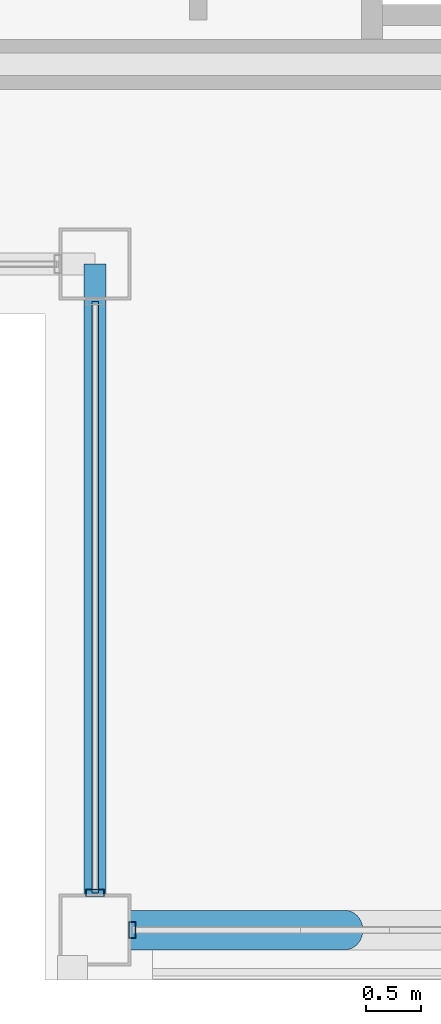
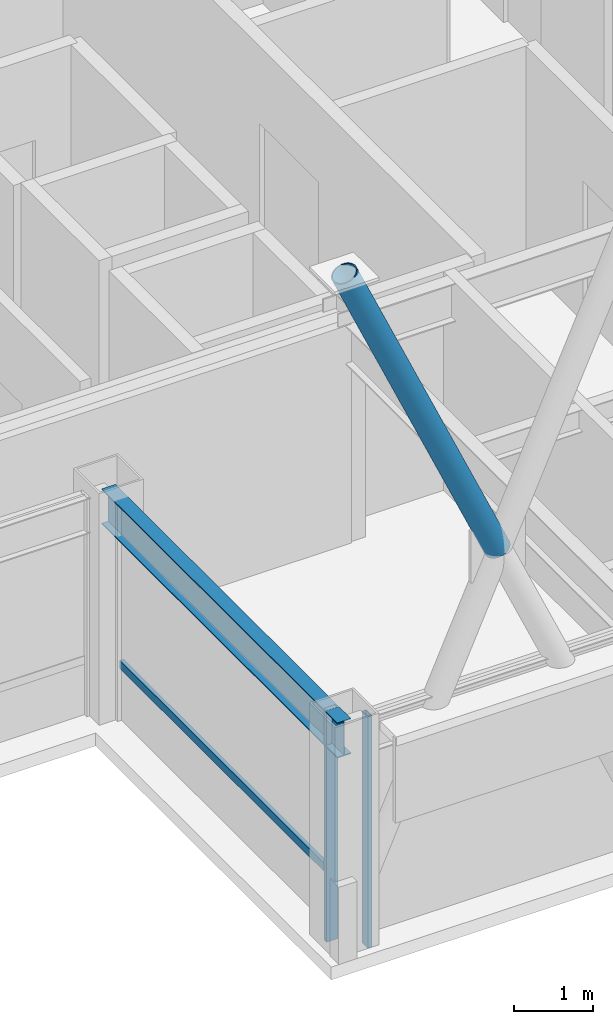
# One storey, part 3 of 30: 4 members, 1 beam, 2 elements without a shape of their own.
"""IFC4 building model written with IfcOpenShell, lengths in metres."""

from ifc_helpers import new_model, si_unit, direction, frame, origin, origin_2d, place, context, subcontext, project, spatial, hollow_rectangle, hollow_circle, i_section, extrude, material, layer, layer_set, material_profile, profile_set, type_object, element, aggregate, save


model = new_model("IFC4")

# Units and contexts
model_context = context("Model", 3, precision=1e-05, world=origin(), true_north=direction((0.0, 1.0)))
body_context = subcontext(model_context, "Body", "Model", "MODEL_VIEW")
ifc_project = project(units=[si_unit("LENGTHUNIT", "METRE"), si_unit("AREAUNIT", "SQUARE_METRE"), si_unit("VOLUMEUNIT", "CUBIC_METRE"), si_unit("PLANEANGLEUNIT", "RADIAN"), si_unit("MASSUNIT", "GRAM", prefix="KILO")], contexts=[model_context])

# Site, building, storey
site_placement = place(None, origin())
site = spatial("IfcSite", under=ifc_project, at=site_placement, CompositionType="ELEMENT")
building_placement = place(site_placement, origin())
building = spatial("IfcBuilding", under=site, at=building_placement, Name="Brelmoor Portico Tower", CompositionType="ELEMENT")
storey_placement = place(building_placement, frame((0.0, 0.0, 236.39990234375)))
storey = spatial("IfcBuildingStorey", under=building, at=storey_placement, Name="L62", CompositionType="ELEMENT", Elevation=236.39990234375)

# Beam
ifc_material_1 = material(Name="Steel Q355B", Category="steel")
ifc_material_profile_1 = material_profile(ifc_material_1, i_section(OverallWidth=0.199951171875, OverallDepth=0.550048828125, WebThickness=0.010009765625, FlangeThickness=0.01611328125, at=origin_2d()), Name="HN 550x200x10x16")
ifc_profile_set_1 = profile_set([ifc_material_profile_1], Name="Steel Q355B")
beam_type = type_object("IfcBeamType", Name="BM-SP-550", PredefinedType="SPANDREL", material=ifc_profile_set_1)
beam_placement = place(storey_placement, frame((-12.550048828125, -17.550048828125, 3.125), z_axis=(0.0, 1.0, 0.0), x_axis=(-1.0, 0.0, 0.0)))
element("IfcBeam", 1, at=beam_placement, inside=storey, type_object=beam_type, Name="L62 Perimeter Spandrel Beam SP-14", PredefinedType="SPANDREL", context=body_context, shape_type="SweptSolid", body=[
    extrude(i_section(OverallWidth=0.199951171875, OverallDepth=0.550048828125, WebThickness=0.010009765625, FlangeThickness=0.01611328125, at=origin_2d()), origin(), (0.0, 0.0, 1.0), 6.0),
])

# Member
ifc_material_profile_2 = material_profile(ifc_material_1, hollow_circle(Radius=0.177978515625, WallThickness=0.01611328125, at=origin_2d()), Name="CHS 356x16")
ifc_profile_set_2 = profile_set([ifc_material_profile_2], Name="Steel Q355B")
member_type_1 = type_object("IfcMemberType", Name="MB-BELT-DIAG2", PredefinedType="BRACE", material=ifc_profile_set_2)
member_1_placement = place(storey_placement, frame((-10.300048828125, -17.550048828125, 5.300048828125), z_axis=(-0.406974140277, 0.0, 0.913439680081), x_axis=(0.0, -1.0, 0.0)))
element("IfcMember", 2, at=member_1_placement, inside=storey, type_object=member_type_1, Name="L62 Split Mega-X Brace 139B2", PredefinedType="BRACE", context=body_context, shape_type="SweptSolid", body=[
    extrude(hollow_circle(Radius=0.177978515625, WallThickness=0.01611328125, at=origin_2d()), origin(), (0.0, 0.0, 1.0), 5.528564453125),
])

# Curtain wall, member
ifc_material_2 = material(Name="Anodised Aluminium Alloy 6063-T6", Category="aluminium")
ifc_layer_1 = layer(ifc_material_2, 0.179931640625)
ifc_layer_set_1 = layer_set([ifc_layer_1], Name="Anodised Aluminium Alloy 6063-T6")
curtain_wall_type_1 = type_object("IfcCurtainWallType", Name="CW-TOWER-Z4-XB", PredefinedType="NOTDEFINED", material=ifc_layer_set_1)
curtain_wall_1_placement = place(storey_placement, origin())
curtain_wall_1 = element("IfcCurtainWall", 3, at=curtain_wall_1_placement, inside=storey, type_object=curtain_wall_type_1, Name="L62 Curtain Wall CW-L62-01-1", PredefinedType="NOTDEFINED")
ifc_material_profile_3 = material_profile(ifc_material_2, hollow_rectangle(XDim=0.06005859375, YDim=0.14990234375, WallThickness=0.00390625, at=origin_2d()), Name="ALU MULLION 60x150")
ifc_profile_set_3 = profile_set([ifc_material_profile_3], Name="Anodised Aluminium Alloy 6063-T6")
member_type_2 = type_object("IfcMemberType", Name="MB-CW-MULL-150", PredefinedType="MULLION", material=ifc_profile_set_3)
member_2_placement = place(storey_placement, frame((-12.215087890625, -17.550048828125, -0.199951171875), z_axis=(0.0, 0.0, 1.0), x_axis=(1.0, 0.0, 0.0)))
member_2 = element("IfcMember", 4, at=member_2_placement, type_object=member_type_2, Name="CW-L62-01-1 Mullion 00", PredefinedType="MULLION", context=body_context, shape_type="SweptSolid", body=[
    extrude(hollow_rectangle(XDim=0.06005859375, YDim=0.14990234375, WallThickness=0.00390625, at=origin_2d()), origin(), (0.0, 0.0, 1.0), 3.60009765625),
])
aggregate(curtain_wall_1, [member_2])

# Curtain wall, members
ifc_layer_2 = layer(ifc_material_2, 0.179931640625)
ifc_layer_set_2 = layer_set([ifc_layer_2], Name="Anodised Aluminium Alloy 6063-T6")
curtain_wall_type_2 = type_object("IfcCurtainWallType", Name="CW-NOTCH-CHAMFER", PredefinedType="NOTDEFINED", material=ifc_layer_set_2)
curtain_wall_2_placement = place(storey_placement, origin())
curtain_wall_2 = element("IfcCurtainWall", 5, at=curtain_wall_2_placement, inside=storey, type_object=curtain_wall_type_2, Name="L62 Curtain Wall CWN-L62-SWV", PredefinedType="NOTDEFINED")
ifc_material_profile_4 = material_profile(ifc_material_2, hollow_rectangle(XDim=0.06494140625, YDim=0.1650390625, WallThickness=0.00390625, at=origin_2d()), Name="ALU MULLION 65x165")
ifc_profile_set_4 = profile_set([ifc_material_profile_4], Name="Anodised Aluminium Alloy 6063-T6")
member_type_3 = type_object("IfcMemberType", Name="MB-CW-MULL-165", PredefinedType="MULLION", material=ifc_profile_set_4)
member_3_placement = place(storey_placement, frame((-12.550048828125, -17.215087890625, -0.199951171875), z_axis=(0.0, 0.0, 1.0), x_axis=(0.0, 1.0, 0.0)))
member_3 = element("IfcMember", 6, at=member_3_placement, type_object=member_type_3, Name="CWN-L62-SWV Mullion 00", PredefinedType="MULLION", context=body_context, shape_type="SweptSolid", body=[
    extrude(hollow_rectangle(XDim=0.06494140625, YDim=0.1650390625, WallThickness=0.00390625, at=origin_2d()), origin(), (0.0, 0.0, 1.0), 3.60009765625),
])
ifc_material_profile_5 = material_profile(ifc_material_2, hollow_rectangle(XDim=0.06005859375, YDim=0.125, WallThickness=0.00341796875, at=origin_2d()), Name="ALU TRANSOM 60x125")
ifc_profile_set_5 = profile_set([ifc_material_profile_5], Name="Anodised Aluminium Alloy 6063-T6")
member_type_4 = type_object("IfcMemberType", Name="MB-CW-TRAN-125", PredefinedType="USERDEFINED", material=ifc_profile_set_5)
member_4_placement = place(storey_placement, frame((-12.550048828125, -17.215087890625, 0.85009765625), z_axis=(0.0, 1.0, 0.0), x_axis=(-1.0, 0.0, 0.0)))
member_4 = element("IfcMember", 7, at=member_4_placement, type_object=member_type_4, Name="CWN-L62-SWV Transom 1-00", ObjectType="TRANSOM", PredefinedType="USERDEFINED", context=body_context, shape_type="SweptSolid", body=[
    extrude(hollow_rectangle(XDim=0.06005859375, YDim=0.125, WallThickness=0.00341796875, at=origin_2d()), origin(), (0.0, 0.0, 1.0), 5.330078125),
])
aggregate(curtain_wall_2, [member_3, member_4])

save(model, "model.ifc")
